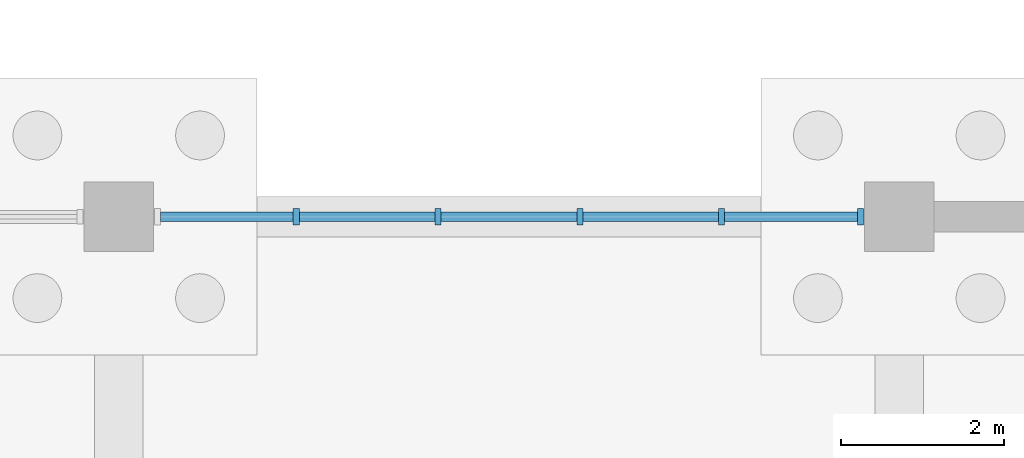
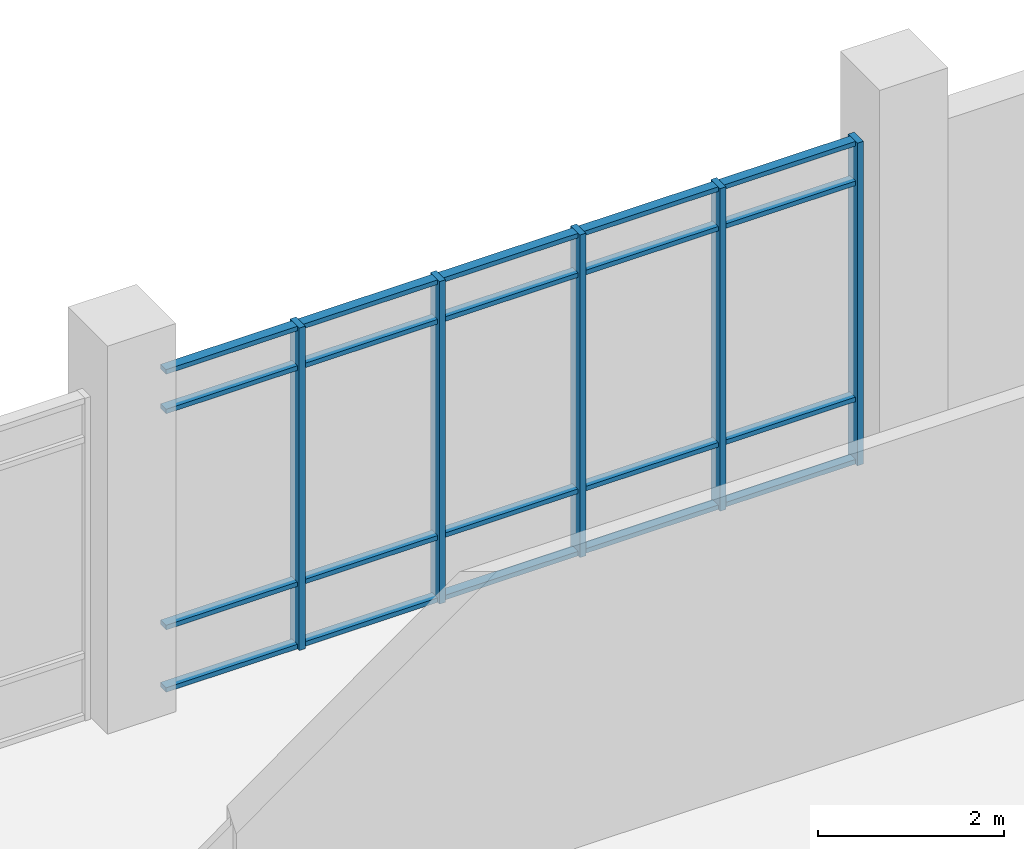
# One storey, part 47 of 136: 25 members, 1 element without a shape of its own.
"""IFC4 building model written with IfcOpenShell, lengths in metres."""

from ifc_helpers import new_model, si_unit, direction, frame, origin, origin_2d, place, context, subcontext, project, spatial, rectangle, extrude, material, material_profile, profile_set, type_object, element, aggregate, save


model = new_model("IFC4")

# Units and contexts
model_context = context("Model", 3, precision=1e-05, world=origin(), true_north=direction((0.0, 1.0)))
body_context = subcontext(model_context, "Body", "Model", "MODEL_VIEW")
ifc_project = project(units=[si_unit("LENGTHUNIT", "METRE"), si_unit("AREAUNIT", "SQUARE_METRE"), si_unit("VOLUMEUNIT", "CUBIC_METRE"), si_unit("PLANEANGLEUNIT", "RADIAN"), si_unit("MASSUNIT", "GRAM", prefix="KILO")], contexts=[model_context])

# Site, building, storey
site_placement = place(None, origin())
site = spatial("IfcSite", under=ifc_project, at=site_placement, CompositionType="ELEMENT")
building_placement = place(site_placement, origin())
building = spatial("IfcBuilding", under=site, at=building_placement, Name="Oolite Switchyard Hospital", CompositionType="ELEMENT")
storey_placement = place(building_placement, origin())
storey = spatial("IfcBuildingStorey", under=building, at=storey_placement, Name="L00", CompositionType="ELEMENT", Elevation=0.0)

# Curtain wall, members
ifc_material_1 = material(Name="Thermally broken aluminum frame with laminated impact glazing", Category="aluminium")
curtain_wall_type = type_object("IfcCurtainWallType", Name="CW-UNIT-96X51", PredefinedType="USERDEFINED", material=ifc_material_1)
curtain_wall_placement = place(storey_placement, origin())
curtain_wall = element("IfcCurtainWall", 1, at=curtain_wall_placement, inside=storey, type_object=curtain_wall_type, Name="L00 Unitised Curtain Wall 44", ObjectType="UNITISED", PredefinedType="USERDEFINED")
ifc_material_2 = material(Name="Aluminium 6063-T6", Category="aluminium")
ifc_material_profile_1 = material_profile(ifc_material_2, rectangle(XDim=0.199951171875, YDim=0.074951171875, at=origin_2d()), Name="CWM75X200")
ifc_profile_set_1 = profile_set([ifc_material_profile_1], Name="Aluminium 6063-T6")
member_type_1 = type_object("IfcMemberType", Name="CW-MUL-260", PredefinedType="MULLION", material=ifc_profile_set_1)
member_1_placement = place(storey_placement, frame((107.783935546875, 109.199951171875, 0.0), z_axis=(0.0, 0.0, 1.0), x_axis=(0.0, 1.0, 0.0)))
member_1 = element("IfcMember", 2, at=member_1_placement, type_object=member_type_1, Name="CW-01 mullion 2", PredefinedType="MULLION", context=body_context, shape_type="SweptSolid", body=[
    extrude(rectangle(XDim=0.199951171875, YDim=0.074951171875, at=origin_2d()), origin(), (0.0, 0.0, 1.0), 4.239990234375),
])
member_2_placement = place(storey_placement, frame((109.528076171875, 109.199951171875, 0.0), z_axis=(0.0, 0.0, 1.0), x_axis=(0.0, 1.0, 0.0)))
member_2 = element("IfcMember", 3, at=member_2_placement, type_object=member_type_1, Name="CW-01 mullion 3", PredefinedType="MULLION", context=body_context, shape_type="SweptSolid", body=[
    extrude(rectangle(XDim=0.199951171875, YDim=0.074951171875, at=origin_2d()), origin(), (0.0, 0.0, 1.0), 4.239990234375),
])
member_3_placement = place(storey_placement, frame((111.27197265625, 109.199951171875, 0.0), z_axis=(0.0, 0.0, 1.0), x_axis=(0.0, 1.0, 0.0)))
member_3 = element("IfcMember", 4, at=member_3_placement, type_object=member_type_1, Name="CW-01 mullion 4", PredefinedType="MULLION", context=body_context, shape_type="SweptSolid", body=[
    extrude(rectangle(XDim=0.199951171875, YDim=0.074951171875, at=origin_2d()), origin(), (0.0, 0.0, 1.0), 4.239990234375),
])
member_4_placement = place(storey_placement, frame((113.01611328125, 109.199951171875, 0.0), z_axis=(0.0, 0.0, 1.0), x_axis=(0.0, 1.0, 0.0)))
member_4 = element("IfcMember", 5, at=member_4_placement, type_object=member_type_1, Name="CW-01 mullion 5", PredefinedType="MULLION", context=body_context, shape_type="SweptSolid", body=[
    extrude(rectangle(XDim=0.199951171875, YDim=0.074951171875, at=origin_2d()), origin(), (0.0, 0.0, 1.0), 4.239990234375),
])
member_5_placement = place(storey_placement, frame((114.722412109375, 109.199951171875, 0.0), z_axis=(0.0, 0.0, 1.0), x_axis=(0.0, 1.0, 0.0)))
member_5 = element("IfcMember", 6, at=member_5_placement, type_object=member_type_1, Name="CW-01 mullion 6", PredefinedType="MULLION", context=body_context, shape_type="SweptSolid", body=[
    extrude(rectangle(XDim=0.199951171875, YDim=0.074951171875, at=origin_2d()), origin(), (0.0, 0.0, 1.0), 4.239990234375),
])
ifc_material_profile_2 = material_profile(ifc_material_2, rectangle(XDim=0.1201171875, YDim=0.06005859375, at=origin_2d()), Name="CWT60X120")
ifc_profile_set_2 = profile_set([ifc_material_profile_2], Name="Aluminium 6063-T6")
member_type_2 = type_object("IfcMemberType", Name="CW-TRN-150", PredefinedType="USERDEFINED", material=ifc_profile_set_2)
member_6_placement = place(storey_placement, frame((106.114990234375, 109.199951171875, 0.030029296875), z_axis=(1.0, 0.0, 0.0), x_axis=(0.0, 1.0, 0.0)))
member_6 = element("IfcMember", 7, at=member_6_placement, type_object=member_type_2, Name="CW-01 transom 1.1", ObjectType="TRANSOM", PredefinedType="USERDEFINED", context=body_context, shape_type="SweptSolid", body=[
    extrude(rectangle(XDim=0.1201171875, YDim=0.06005859375, at=origin_2d()), origin(), (0.0, 0.0, 1.0), 1.631591796875),
])
member_7_placement = place(storey_placement, frame((106.114990234375, 109.199951171875, 0.85009765625), z_axis=(1.0, 0.0, 0.0), x_axis=(0.0, 1.0, 0.0)))
member_7 = element("IfcMember", 8, at=member_7_placement, type_object=member_type_2, Name="CW-01 transom 1.2", ObjectType="TRANSOM", PredefinedType="USERDEFINED", context=body_context, shape_type="SweptSolid", body=[
    extrude(rectangle(XDim=0.1201171875, YDim=0.06005859375, at=origin_2d()), origin(), (0.0, 0.0, 1.0), 1.631591796875),
])
member_8_placement = place(storey_placement, frame((106.114990234375, 109.199951171875, 3.68994140625), z_axis=(1.0, 0.0, 0.0), x_axis=(0.0, 1.0, 0.0)))
member_8 = element("IfcMember", 9, at=member_8_placement, type_object=member_type_2, Name="CW-01 transom 1.3", ObjectType="TRANSOM", PredefinedType="USERDEFINED", context=body_context, shape_type="SweptSolid", body=[
    extrude(rectangle(XDim=0.1201171875, YDim=0.06005859375, at=origin_2d()), origin(), (0.0, 0.0, 1.0), 1.631591796875),
])
member_9_placement = place(storey_placement, frame((106.114990234375, 109.199951171875, 4.2099609375), z_axis=(1.0, 0.0, 0.0), x_axis=(0.0, 1.0, 0.0)))
member_9 = element("IfcMember", 10, at=member_9_placement, type_object=member_type_2, Name="CW-01 transom 1.4", ObjectType="TRANSOM", PredefinedType="USERDEFINED", context=body_context, shape_type="SweptSolid", body=[
    extrude(rectangle(XDim=0.1201171875, YDim=0.06005859375, at=origin_2d()), origin(), (0.0, 0.0, 1.0), 1.631591796875),
])
member_10_placement = place(storey_placement, frame((107.821533203125, 109.199951171875, 0.030029296875), z_axis=(1.0, 0.0, 0.0), x_axis=(0.0, 1.0, 0.0)))
member_10 = element("IfcMember", 11, at=member_10_placement, type_object=member_type_2, Name="CW-01 transom 2.1", ObjectType="TRANSOM", PredefinedType="USERDEFINED", context=body_context, shape_type="SweptSolid", body=[
    extrude(rectangle(XDim=0.1201171875, YDim=0.06005859375, at=origin_2d()), origin(), (0.0, 0.0, 1.0), 1.6689453125),
])
member_11_placement = place(storey_placement, frame((107.821533203125, 109.199951171875, 0.85009765625), z_axis=(1.0, 0.0, 0.0), x_axis=(0.0, 1.0, 0.0)))
member_11 = element("IfcMember", 12, at=member_11_placement, type_object=member_type_2, Name="CW-01 transom 2.2", ObjectType="TRANSOM", PredefinedType="USERDEFINED", context=body_context, shape_type="SweptSolid", body=[
    extrude(rectangle(XDim=0.1201171875, YDim=0.06005859375, at=origin_2d()), origin(), (0.0, 0.0, 1.0), 1.6689453125),
])
member_12_placement = place(storey_placement, frame((107.821533203125, 109.199951171875, 3.68994140625), z_axis=(1.0, 0.0, 0.0), x_axis=(0.0, 1.0, 0.0)))
member_12 = element("IfcMember", 13, at=member_12_placement, type_object=member_type_2, Name="CW-01 transom 2.3", ObjectType="TRANSOM", PredefinedType="USERDEFINED", context=body_context, shape_type="SweptSolid", body=[
    extrude(rectangle(XDim=0.1201171875, YDim=0.06005859375, at=origin_2d()), origin(), (0.0, 0.0, 1.0), 1.6689453125),
])
member_13_placement = place(storey_placement, frame((107.821533203125, 109.199951171875, 4.2099609375), z_axis=(1.0, 0.0, 0.0), x_axis=(0.0, 1.0, 0.0)))
member_13 = element("IfcMember", 14, at=member_13_placement, type_object=member_type_2, Name="CW-01 transom 2.4", ObjectType="TRANSOM", PredefinedType="USERDEFINED", context=body_context, shape_type="SweptSolid", body=[
    extrude(rectangle(XDim=0.1201171875, YDim=0.06005859375, at=origin_2d()), origin(), (0.0, 0.0, 1.0), 1.6689453125),
])
member_14_placement = place(storey_placement, frame((109.5654296875, 109.199951171875, 0.030029296875), z_axis=(1.0, 0.0, 0.0), x_axis=(0.0, 1.0, 0.0)))
member_14 = element("IfcMember", 15, at=member_14_placement, type_object=member_type_2, Name="CW-01 transom 3.1", ObjectType="TRANSOM", PredefinedType="USERDEFINED", context=body_context, shape_type="SweptSolid", body=[
    extrude(rectangle(XDim=0.1201171875, YDim=0.06005859375, at=origin_2d()), origin(), (0.0, 0.0, 1.0), 1.669189453125),
])
member_15_placement = place(storey_placement, frame((109.5654296875, 109.199951171875, 0.85009765625), z_axis=(1.0, 0.0, 0.0), x_axis=(0.0, 1.0, 0.0)))
member_15 = element("IfcMember", 16, at=member_15_placement, type_object=member_type_2, Name="CW-01 transom 3.2", ObjectType="TRANSOM", PredefinedType="USERDEFINED", context=body_context, shape_type="SweptSolid", body=[
    extrude(rectangle(XDim=0.1201171875, YDim=0.06005859375, at=origin_2d()), origin(), (0.0, 0.0, 1.0), 1.669189453125),
])
member_16_placement = place(storey_placement, frame((109.5654296875, 109.199951171875, 3.68994140625), z_axis=(1.0, 0.0, 0.0), x_axis=(0.0, 1.0, 0.0)))
member_16 = element("IfcMember", 17, at=member_16_placement, type_object=member_type_2, Name="CW-01 transom 3.3", ObjectType="TRANSOM", PredefinedType="USERDEFINED", context=body_context, shape_type="SweptSolid", body=[
    extrude(rectangle(XDim=0.1201171875, YDim=0.06005859375, at=origin_2d()), origin(), (0.0, 0.0, 1.0), 1.669189453125),
])
member_17_placement = place(storey_placement, frame((109.5654296875, 109.199951171875, 4.2099609375), z_axis=(1.0, 0.0, 0.0), x_axis=(0.0, 1.0, 0.0)))
member_17 = element("IfcMember", 18, at=member_17_placement, type_object=member_type_2, Name="CW-01 transom 3.4", ObjectType="TRANSOM", PredefinedType="USERDEFINED", context=body_context, shape_type="SweptSolid", body=[
    extrude(rectangle(XDim=0.1201171875, YDim=0.06005859375, at=origin_2d()), origin(), (0.0, 0.0, 1.0), 1.669189453125),
])
member_18_placement = place(storey_placement, frame((111.3095703125, 109.199951171875, 0.030029296875), z_axis=(1.0, 0.0, 0.0), x_axis=(0.0, 1.0, 0.0)))
member_18 = element("IfcMember", 19, at=member_18_placement, type_object=member_type_2, Name="CW-01 transom 4.1", ObjectType="TRANSOM", PredefinedType="USERDEFINED", context=body_context, shape_type="SweptSolid", body=[
    extrude(rectangle(XDim=0.1201171875, YDim=0.06005859375, at=origin_2d()), origin(), (0.0, 0.0, 1.0), 1.6689453125),
])
member_19_placement = place(storey_placement, frame((111.3095703125, 109.199951171875, 0.85009765625), z_axis=(1.0, 0.0, 0.0), x_axis=(0.0, 1.0, 0.0)))
member_19 = element("IfcMember", 20, at=member_19_placement, type_object=member_type_2, Name="CW-01 transom 4.2", ObjectType="TRANSOM", PredefinedType="USERDEFINED", context=body_context, shape_type="SweptSolid", body=[
    extrude(rectangle(XDim=0.1201171875, YDim=0.06005859375, at=origin_2d()), origin(), (0.0, 0.0, 1.0), 1.6689453125),
])
member_20_placement = place(storey_placement, frame((111.3095703125, 109.199951171875, 3.68994140625), z_axis=(1.0, 0.0, 0.0), x_axis=(0.0, 1.0, 0.0)))
member_20 = element("IfcMember", 21, at=member_20_placement, type_object=member_type_2, Name="CW-01 transom 4.3", ObjectType="TRANSOM", PredefinedType="USERDEFINED", context=body_context, shape_type="SweptSolid", body=[
    extrude(rectangle(XDim=0.1201171875, YDim=0.06005859375, at=origin_2d()), origin(), (0.0, 0.0, 1.0), 1.6689453125),
])
member_21_placement = place(storey_placement, frame((111.3095703125, 109.199951171875, 4.2099609375), z_axis=(1.0, 0.0, 0.0), x_axis=(0.0, 1.0, 0.0)))
member_21 = element("IfcMember", 22, at=member_21_placement, type_object=member_type_2, Name="CW-01 transom 4.4", ObjectType="TRANSOM", PredefinedType="USERDEFINED", context=body_context, shape_type="SweptSolid", body=[
    extrude(rectangle(XDim=0.1201171875, YDim=0.06005859375, at=origin_2d()), origin(), (0.0, 0.0, 1.0), 1.6689453125),
])
member_22_placement = place(storey_placement, frame((113.053466796875, 109.199951171875, 0.030029296875), z_axis=(1.0, 0.0, 0.0), x_axis=(0.0, 1.0, 0.0)))
member_22 = element("IfcMember", 23, at=member_22_placement, type_object=member_type_2, Name="CW-01 transom 5.1", ObjectType="TRANSOM", PredefinedType="USERDEFINED", context=body_context, shape_type="SweptSolid", body=[
    extrude(rectangle(XDim=0.1201171875, YDim=0.06005859375, at=origin_2d()), origin(), (0.0, 0.0, 1.0), 1.631591796875),
])
member_23_placement = place(storey_placement, frame((113.053466796875, 109.199951171875, 0.85009765625), z_axis=(1.0, 0.0, 0.0), x_axis=(0.0, 1.0, 0.0)))
member_23 = element("IfcMember", 24, at=member_23_placement, type_object=member_type_2, Name="CW-01 transom 5.2", ObjectType="TRANSOM", PredefinedType="USERDEFINED", context=body_context, shape_type="SweptSolid", body=[
    extrude(rectangle(XDim=0.1201171875, YDim=0.06005859375, at=origin_2d()), origin(), (0.0, 0.0, 1.0), 1.631591796875),
])
member_24_placement = place(storey_placement, frame((113.053466796875, 109.199951171875, 3.68994140625), z_axis=(1.0, 0.0, 0.0), x_axis=(0.0, 1.0, 0.0)))
member_24 = element("IfcMember", 25, at=member_24_placement, type_object=member_type_2, Name="CW-01 transom 5.3", ObjectType="TRANSOM", PredefinedType="USERDEFINED", context=body_context, shape_type="SweptSolid", body=[
    extrude(rectangle(XDim=0.1201171875, YDim=0.06005859375, at=origin_2d()), origin(), (0.0, 0.0, 1.0), 1.631591796875),
])
member_25_placement = place(storey_placement, frame((113.053466796875, 109.199951171875, 4.2099609375), z_axis=(1.0, 0.0, 0.0), x_axis=(0.0, 1.0, 0.0)))
member_25 = element("IfcMember", 26, at=member_25_placement, type_object=member_type_2, Name="CW-01 transom 5.4", ObjectType="TRANSOM", PredefinedType="USERDEFINED", context=body_context, shape_type="SweptSolid", body=[
    extrude(rectangle(XDim=0.1201171875, YDim=0.06005859375, at=origin_2d()), origin(), (0.0, 0.0, 1.0), 1.631591796875),
])
aggregate(curtain_wall, [member_1, member_2, member_3, member_4, member_5, member_6, member_7, member_8, member_9, member_10, member_11, member_12, member_13, member_14, member_15, member_16, member_17, member_18, member_19, member_20, member_21, member_22, member_23, member_24, member_25])

save(model, "model.ifc")
